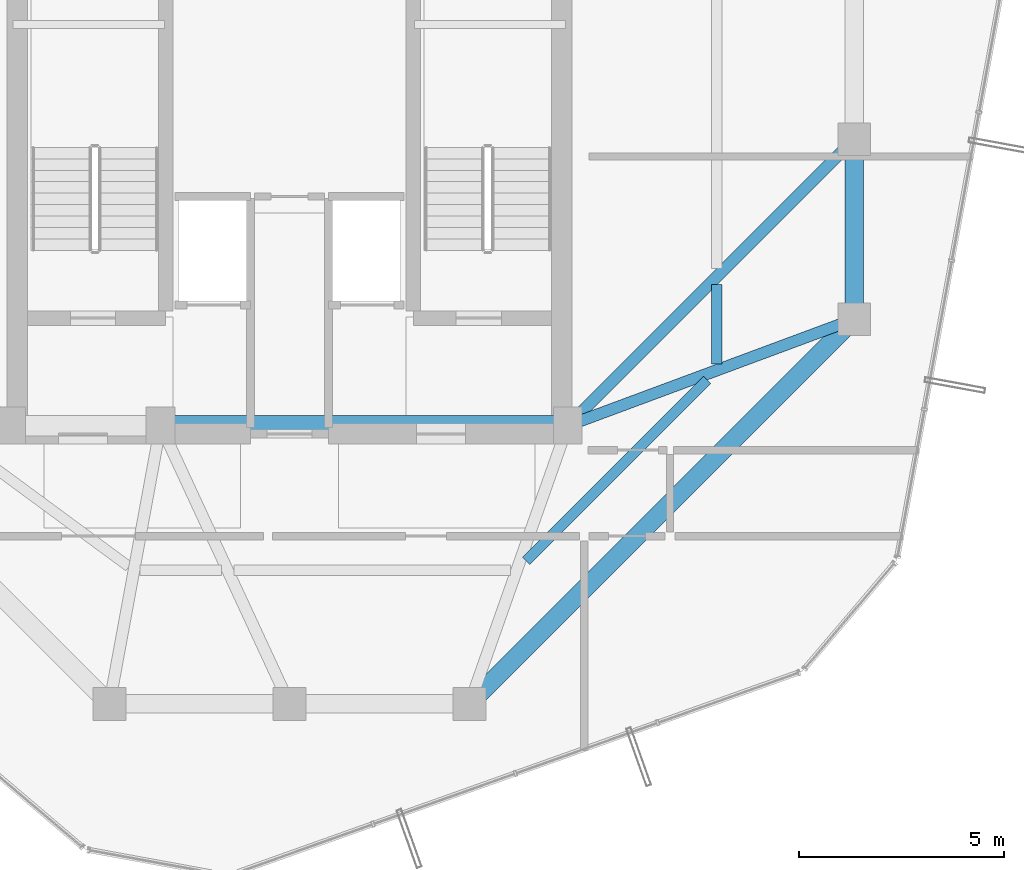
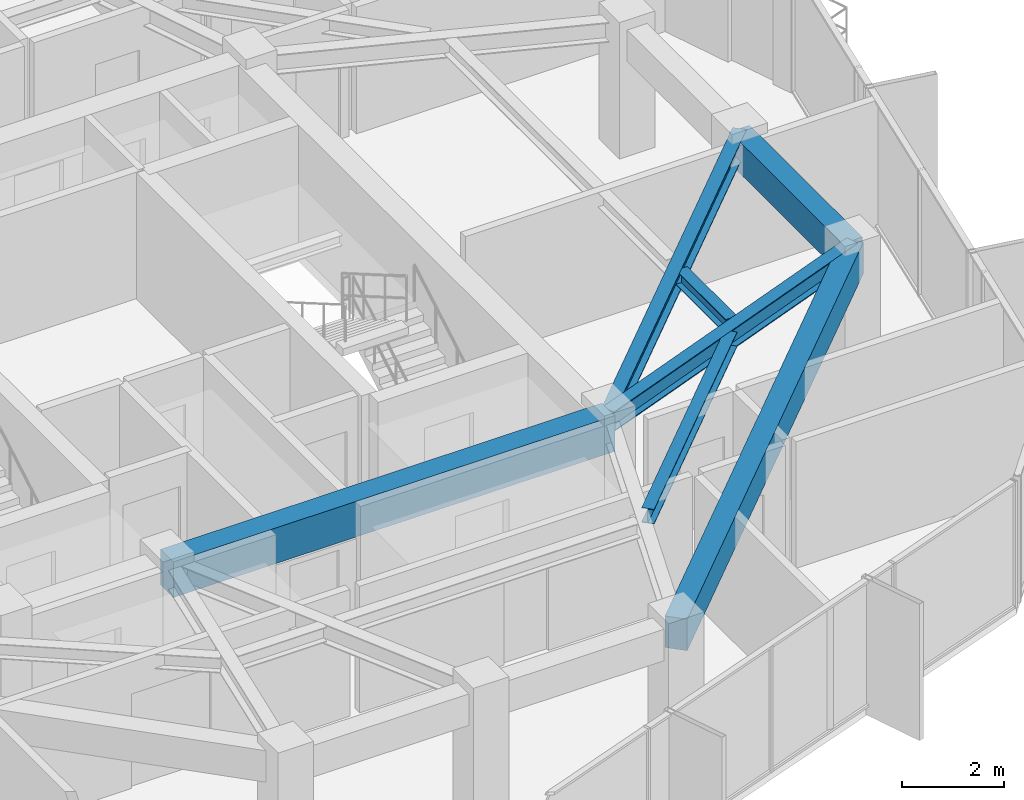
# One storey, part 11 of 29: 7 beams.
"""IFC4 building model written with IfcOpenShell, lengths in metres."""

from ifc_helpers import new_model, si_unit, direction, frame, origin, origin_2d, place, context, subcontext, project, spatial, rectangle, i_section, extrude, material, material_profile, profile_set, type_object, element, save


model = new_model("IFC4")

# Units and contexts
model_context = context("Model", 3, precision=1e-05, world=origin(), true_north=direction((0.0, 1.0)))
body_context = subcontext(model_context, "Body", "Model", "MODEL_VIEW")
ifc_project = project(units=[si_unit("LENGTHUNIT", "METRE"), si_unit("AREAUNIT", "SQUARE_METRE"), si_unit("VOLUMEUNIT", "CUBIC_METRE"), si_unit("PLANEANGLEUNIT", "RADIAN"), si_unit("MASSUNIT", "GRAM", prefix="KILO")], contexts=[model_context])

# Site, building, storey
site_placement = place(None, origin())
site = spatial("IfcSite", under=ifc_project, at=site_placement, CompositionType="ELEMENT")
building_placement = place(site_placement, origin())
building = spatial("IfcBuilding", under=site, at=building_placement, Name="Veraguas Prism Commons", CompositionType="ELEMENT")
storey_placement = place(building_placement, frame((0.0, 0.0, 244.75)))
storey = spatial("IfcBuildingStorey", under=building, at=storey_placement, Name="L69", CompositionType="ELEMENT", Elevation=244.75)

# Beams
ifc_material_1 = material(Name="Concrete C50/60", Category="concrete")
ifc_material_profile_1 = material_profile(ifc_material_1, rectangle(XDim=0.5, YDim=0.85009765625, at=origin_2d()), Name="RC500X850")
ifc_profile_set_1 = profile_set([ifc_material_profile_1], Name="Concrete C50/60")
beam_type_1 = type_object("IfcBeamType", Name="Core Coupling Beam RC 500x850", PredefinedType="BEAM", material=ifc_profile_set_1)
beam_1_placement = place(storey_placement, frame((20.85009765625, 17.0, 2.590087890625), z_axis=(1.0, 0.0, 0.0), x_axis=(0.0, 1.0, 0.0)))
element("IfcBeam", 1, at=beam_1_placement, inside=storey, type_object=beam_type_1, Name="Core Coupling Beam L69-CRS2", PredefinedType="BEAM", context=body_context, shape_type="SweptSolid", body=[
    extrude(rectangle(XDim=0.5, YDim=0.85009765625, at=origin_2d()), origin(), (0.0, 0.0, 1.0), 9.949951171875),
])
ifc_material_profile_2 = material_profile(ifc_material_1, rectangle(XDim=0.449951171875, YDim=0.75, at=origin_2d()), Name="RC450X750")
ifc_profile_set_2 = profile_set([ifc_material_profile_2], Name="Concrete C50/60")
beam_type_2 = type_object("IfcBeamType", Name="Perimeter Spandrel Upper RC 450x750", PredefinedType="SPANDREL", material=ifc_profile_set_2)
beam_2_placement = place(storey_placement, frame((37.800048828125, 19.60009765625, 2.639892578125), z_axis=(0.0, 1.0, 0.0), x_axis=(-1.0, 0.0, 0.0)))
element("IfcBeam", 2, at=beam_2_placement, inside=storey, type_object=beam_type_2, Name="Perimeter Spandrel Beam L69-SP01", PredefinedType="SPANDREL", context=body_context, shape_type="SweptSolid", body=[
    extrude(rectangle(XDim=0.449951171875, YDim=0.75, at=origin_2d()), origin(), (0.0, 0.0, 1.0), 4.39990234375),
])
beam_3_placement = place(storey_placement, frame((28.39990234375, 10.199951171875, 2.639892578125), z_axis=(0.707106781187, 0.707106781187, 0.0), x_axis=(-0.707106781187, 0.707106781187, 0.0)))
element("IfcBeam", 3, at=beam_3_placement, inside=storey, type_object=beam_type_2, Name="Perimeter Spandrel Beam L69-SP12", PredefinedType="SPANDREL", context=body_context, shape_type="SweptSolid", body=[
    extrude(rectangle(XDim=0.449951171875, YDim=0.75, at=origin_2d()), origin(), (0.0, 0.0, 1.0), 13.293701171875),
])
ifc_material_2 = material(Name="Steel ASTM A992 Grade 50", Category="steel")
ifc_material_profile_3 = material_profile(ifc_material_2, i_section(OverallWidth=0.25390625, OverallDepth=0.35302734375, WebThickness=0.009521484375, FlangeThickness=0.016357421875, at=origin_2d()), Name="W360X91")
ifc_profile_set_3 = profile_set([ifc_material_profile_3], Name="Steel ASTM A992 Grade 50")
beam_type_3 = type_object("IfcBeamType", Name="Upper Floor Joist W360x91", PredefinedType="JOIST", material=ifc_profile_set_3)
beam_4_placement = place(storey_placement, frame((34.43994140625, 18.500732421875, 2.83837890625), z_axis=(0.0, 1.0, 0.0), x_axis=(-1.0, 0.0, 0.0)))
element("IfcBeam", 4, at=beam_4_placement, inside=storey, type_object=beam_type_3, Name="Composite Floor Joist L69-JS01", PredefinedType="JOIST", context=body_context, shape_type="SweptSolid", body=[
    extrude(i_section(OverallWidth=0.25390625, OverallDepth=0.35302734375, WebThickness=0.009521484375, FlangeThickness=0.016357421875, at=origin_2d()), origin(), (0.0, 0.0, 1.0), 1.94189453125),
])
beam_5_placement = place(storey_placement, frame((29.780517578125, 13.692626953125, 2.83837890625), z_axis=(0.707126297541, 0.707087264294, 0.0), x_axis=(-0.707087264294, 0.707126297541, 0.0)))
element("IfcBeam", 5, at=beam_5_placement, inside=storey, type_object=beam_type_3, Name="Composite Floor Joist L69-JS12", PredefinedType="JOIST", context=body_context, shape_type="SweptSolid", body=[
    extrude(i_section(OverallWidth=0.25390625, OverallDepth=0.35302734375, WebThickness=0.009521484375, FlangeThickness=0.016357421875, at=origin_2d()), origin(), (0.0, 0.0, 1.0), 6.254638671875),
])
ifc_material_profile_4 = material_profile(ifc_material_2, i_section(OverallWidth=0.282958984375, OverallDepth=0.471923828125, WebThickness=0.013671875, FlangeThickness=0.022216796875, at=origin_2d()), Name="W460X144")
ifc_profile_set_4 = profile_set([ifc_material_profile_4], Name="Steel ASTM A992 Grade 50")
beam_type_4 = type_object("IfcBeamType", Name="Zone 4 Radial Girder W460x144", PredefinedType="BEAM", material=ifc_profile_set_4)
beam_6_placement = place(storey_placement, frame((37.800048828125, 19.60009765625, 2.779052734375), z_axis=(-0.937421003341, -0.348198021958, 0.0), x_axis=(0.348198021958, -0.937421003341, 0.0)))
element("IfcBeam", 6, at=beam_6_placement, inside=storey, type_object=beam_type_4, Name="Radial Floor Girder L69-RD01", PredefinedType="BEAM", context=body_context, shape_type="SweptSolid", body=[
    extrude(i_section(OverallWidth=0.282958984375, OverallDepth=0.471923828125, WebThickness=0.013671875, FlangeThickness=0.022216796875, at=origin_2d()), origin(), (0.0, 0.0, 1.0), 7.46728515625),
])
beam_7_placement = place(storey_placement, frame((37.800048828125, 24.0, 2.779052734375), z_axis=(-0.707106781187, -0.707106781187, 0.0), x_axis=(0.707106781187, -0.707106781187, 0.0)))
element("IfcBeam", 7, at=beam_7_placement, inside=storey, type_object=beam_type_4, Name="Radial Floor Girder L69-RD02", PredefinedType="BEAM", context=body_context, shape_type="SweptSolid", body=[
    extrude(i_section(OverallWidth=0.282958984375, OverallDepth=0.471923828125, WebThickness=0.013671875, FlangeThickness=0.022216796875, at=origin_2d()), origin(), (0.0, 0.0, 1.0), 9.8994140625),
])

save(model, "model.ifc")
